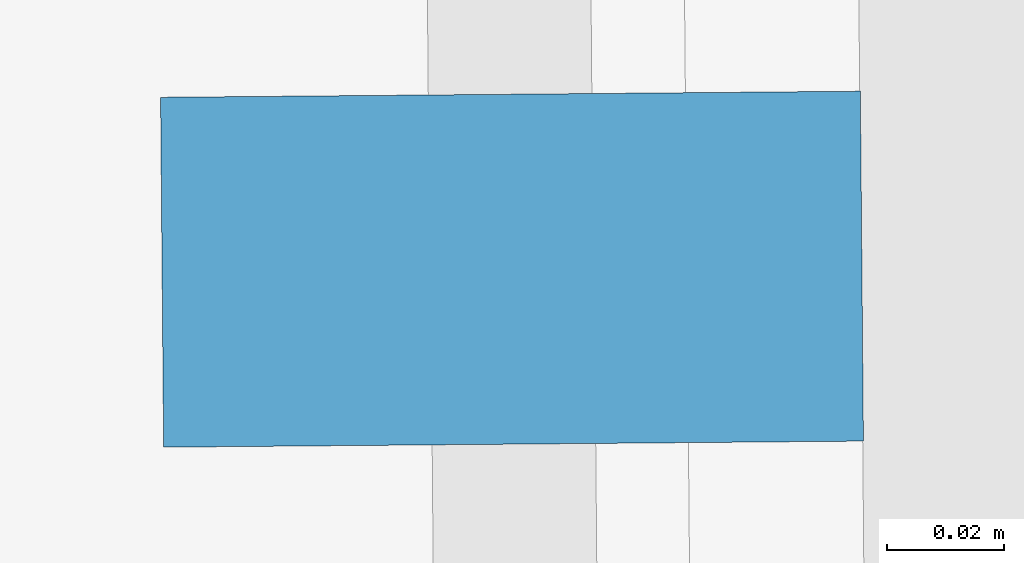
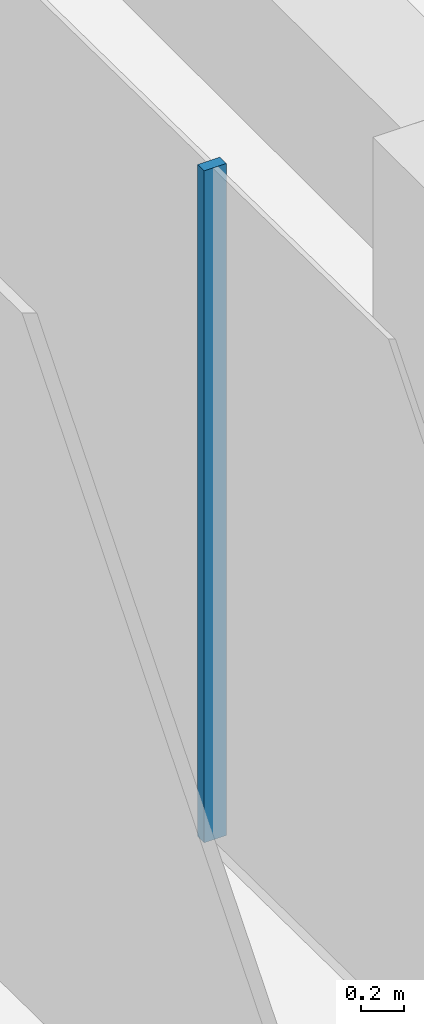
# One storey, part 9 of 19: 1 member, 1 element without a shape of its own.
"""IFC4 building model written with IfcOpenShell, lengths in metres."""

from ifc_helpers import new_model, si_unit, direction, frame, origin, origin_2d, place, context, subcontext, project, spatial, rectangle, extrude, material, layer, layer_set, material_profile, profile_set, type_object, element, aggregate, save


model = new_model("IFC4")

# Units and contexts
model_context = context("Model", 3, precision=1e-05, world=origin(), true_north=direction((0.0, 1.0)))
body_context = subcontext(model_context, "Body", "Model", "MODEL_VIEW")
ifc_project = project(units=[si_unit("LENGTHUNIT", "METRE"), si_unit("AREAUNIT", "SQUARE_METRE"), si_unit("VOLUMEUNIT", "CUBIC_METRE"), si_unit("PLANEANGLEUNIT", "RADIAN"), si_unit("MASSUNIT", "GRAM", prefix="KILO")], contexts=[model_context])

# Site, building, storey
site_placement = place(None, origin())
site = spatial("IfcSite", under=ifc_project, at=site_placement, CompositionType="ELEMENT")
building_placement = place(site_placement, origin())
building = spatial("IfcBuilding", under=site, at=building_placement, Name="Welwitschia Terrace Campus", CompositionType="ELEMENT")
storey_placement = place(building_placement, frame((0.0, 0.0, 171.800048828125)))
storey = spatial("IfcBuildingStorey", under=building, at=storey_placement, Name="L38", CompositionType="ELEMENT", Elevation=171.800048828125)

# Curtain wall, member
ifc_material_1 = material(Name="Bronze anodised aluminium", Category="aluminium")
ifc_layer = layer(ifc_material_1, 0.1201171875)
ifc_layer_set = layer_set([ifc_layer], Name="Bronze anodised aluminium")
curtain_wall_type = type_object("IfcCurtainWallType", Name="Curtain wall CW2 tower 6000", PredefinedType="NOTDEFINED", material=ifc_layer_set)
curtain_wall_placement = place(storey_placement, origin())
curtain_wall = element("IfcCurtainWall", 1, at=curtain_wall_placement, inside=storey, type_object=curtain_wall_type, Name="CW L38.0.0", PredefinedType="NOTDEFINED")
ifc_material_2 = material(Name="Bronze anodised aluminium", Category="aluminium")
ifc_material_profile = material_profile(ifc_material_2, rectangle(XDim=0.1201171875, YDim=0.06005859375, at=origin_2d()))
ifc_profile_set = profile_set([ifc_material_profile], Name="Bronze anodised aluminium")
member_type = type_object("IfcMemberType", Name="Mullion 60x120", PredefinedType="MULLION", material=ifc_profile_set)
member_placement = place(storey_placement, frame((-1.189208984375, 44.613037109375, 0.0), z_axis=(0.0, 0.0, 1.0), x_axis=(0.999961923064, 0.008726535498, 0.0)))
member = element("IfcMember", 2, at=member_placement, type_object=member_type, Name="Mullion L38.0.0.3", PredefinedType="MULLION", context=body_context, shape_type="SweptSolid", body=[
    extrude(rectangle(XDim=0.1201171875, YDim=0.06005859375, at=origin_2d()), origin(), (0.0, 0.0, 1.0), 3.849853515625),
])
aggregate(curtain_wall, [member])

save(model, "model.ifc")
